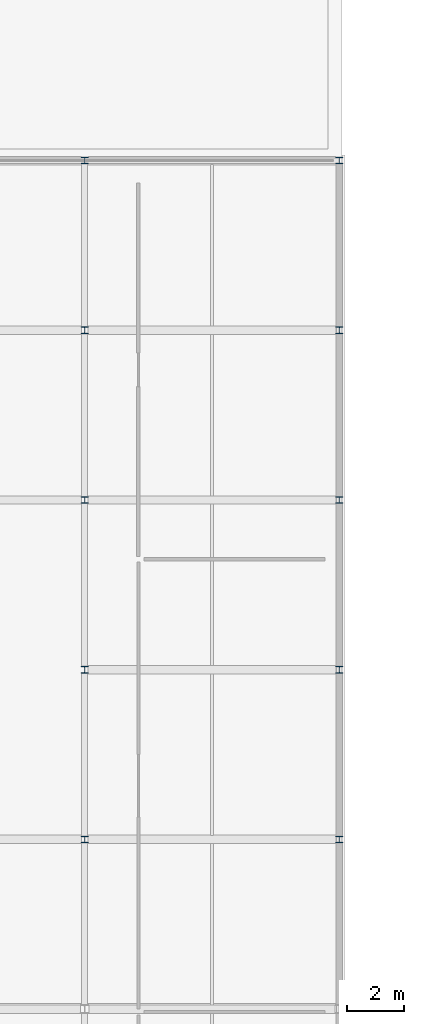
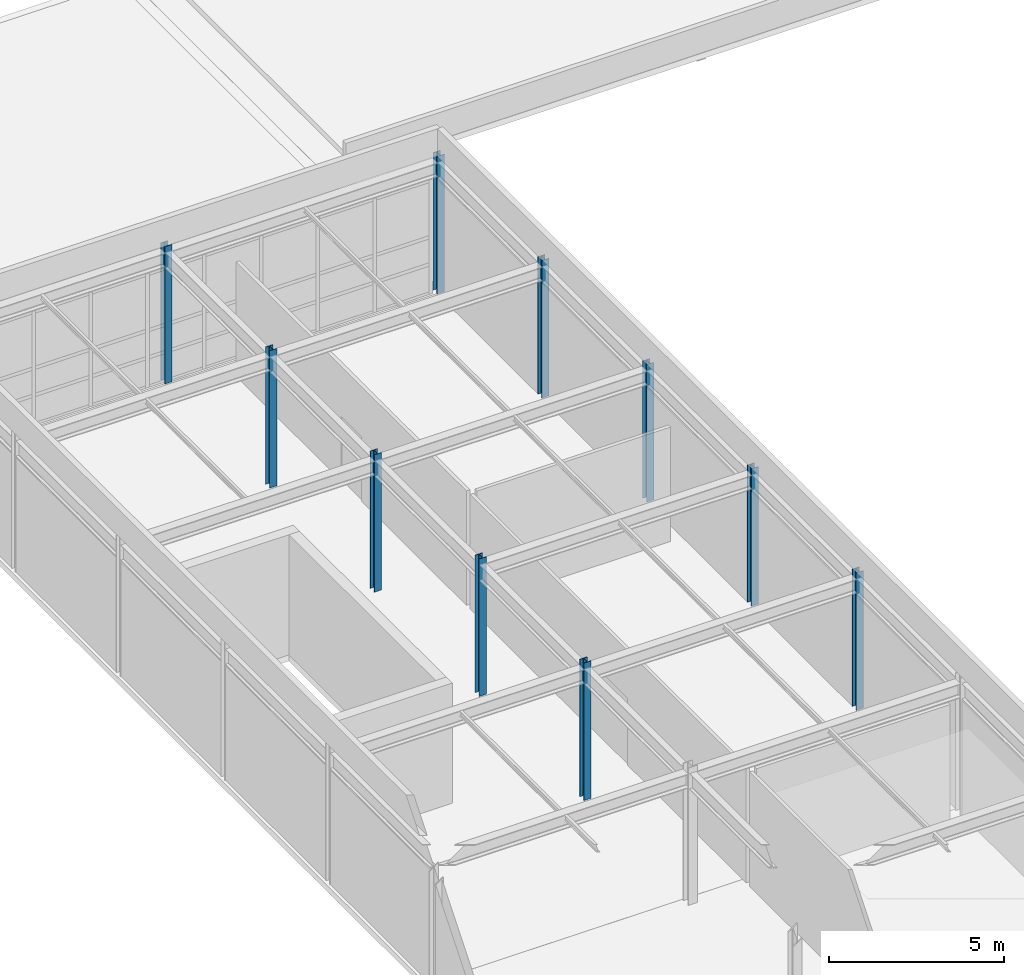
# One storey, part 5 of 38: 10 columns.
"""IFC4 building model written with IfcOpenShell, lengths in metres."""

from ifc_helpers import new_model, si_unit, direction, frame, origin, origin_2d, place, context, subcontext, project, spatial, i_section, extrude, material, material_profile, profile_set, type_object, element, save


model = new_model("IFC4")

# Units and contexts
model_context = context("Model", 3, precision=1e-05, world=origin(), true_north=direction((0.0, 1.0)))
body_context = subcontext(model_context, "Body", "Model", "MODEL_VIEW")
ifc_project = project(units=[si_unit("LENGTHUNIT", "METRE"), si_unit("AREAUNIT", "SQUARE_METRE"), si_unit("VOLUMEUNIT", "CUBIC_METRE"), si_unit("PLANEANGLEUNIT", "RADIAN"), si_unit("MASSUNIT", "GRAM", prefix="KILO")], contexts=[model_context])

# Site, building, storey
site_placement = place(None, origin())
site = spatial("IfcSite", under=ifc_project, at=site_placement, CompositionType="ELEMENT")
building_placement = place(site_placement, origin())
building = spatial("IfcBuilding", under=site, at=building_placement, Name="Kaldris Quays Convention Centre", CompositionType="ELEMENT")
storey_placement = place(building_placement, frame((0.0, 0.0, 21.60009765625)))
storey = spatial("IfcBuildingStorey", under=building, at=storey_placement, Name="L04", CompositionType="ELEMENT", Elevation=21.60009765625)

# Columns
ifc_material = material(Name="Steel S355J2", Category="steel")
ifc_material_profile = material_profile(ifc_material, i_section(OverallWidth=0.239990234375, OverallDepth=0.239990234375, WebThickness=0.010009765625, FlangeThickness=0.01708984375, FilletRadius=0.02099609375, at=origin_2d()), Name="HEB 240")
ifc_profile_set = profile_set([ifc_material_profile], Name="Steel S355J2")
column_type = type_object("IfcColumnType", Name="STRUCTURAL COLUMN CL20", PredefinedType="COLUMN", material=ifc_profile_set)
for number, where, z_axis, x_axis, name in (
    (1, (155.0, 74.0, 0.0), (0.0, 0.0, 1.0), (1.0, 0.0, 0.0), "L04 V4 Column CL20 (155.00, 74.00)"),
    (2, (155.0, 80.0, 0.0), (0.0, 0.0, 1.0), (1.0, 0.0, 0.0), "L04 V4 Column CL20 (155.00, 80.00)"),
    (3, (155.0, 86.0, 0.0), (0.0, 0.0, 1.0), (1.0, 0.0, 0.0), "L04 V4 Column CL20 (155.00, 86.00)"),
    (4, (155.0, 92.0, 0.0), (0.0, 0.0, 1.0), (1.0, 0.0, 0.0), "L04 V4 Column CL20 (155.00, 92.00)"),
    (5, (155.0, 98.0, 0.0), (0.0, 0.0, 1.0), (1.0, 0.0, 0.0), "L04 V4 Column CL20 (155.00, 98.00)"),
    (6, (164.0, 74.0, 0.0), (0.0, 0.0, 1.0), (1.0, 0.0, 0.0), "L04 V4 Column CL20 (164.00, 74.00)"),
    (7, (164.0, 80.0, 0.0), (0.0, 0.0, 1.0), (1.0, 0.0, 0.0), "L04 V4 Column CL20 (164.00, 80.00)"),
    (8, (164.0, 86.0, 0.0), (0.0, 0.0, 1.0), (1.0, 0.0, 0.0), "L04 V4 Column CL20 (164.00, 86.00)"),
    (9, (164.0, 92.0, 0.0), (0.0, 0.0, 1.0), (1.0, 0.0, 0.0), "L04 V4 Column CL20 (164.00, 92.00)"),
    (10, (164.0, 98.0, 0.0), (0.0, 0.0, 1.0), (1.0, 0.0, 0.0), "L04 V4 Column CL20 (164.00, 98.00)"),
):
    element("IfcColumn", number, at=place(storey_placement, frame(where, z_axis=z_axis, x_axis=x_axis)), inside=storey, type_object=column_type, Name=name, PredefinedType="COLUMN", context=body_context, shape_type="SweptSolid", body=[
        extrude(i_section(OverallWidth=0.239990234375, OverallDepth=0.239990234375, WebThickness=0.010009765625, FlangeThickness=0.01708984375, FilletRadius=0.02099609375, at=origin_2d()), origin(), (0.0, 0.0, 1.0), 4.7998046875),
    ])

save(model, "model.ifc")
